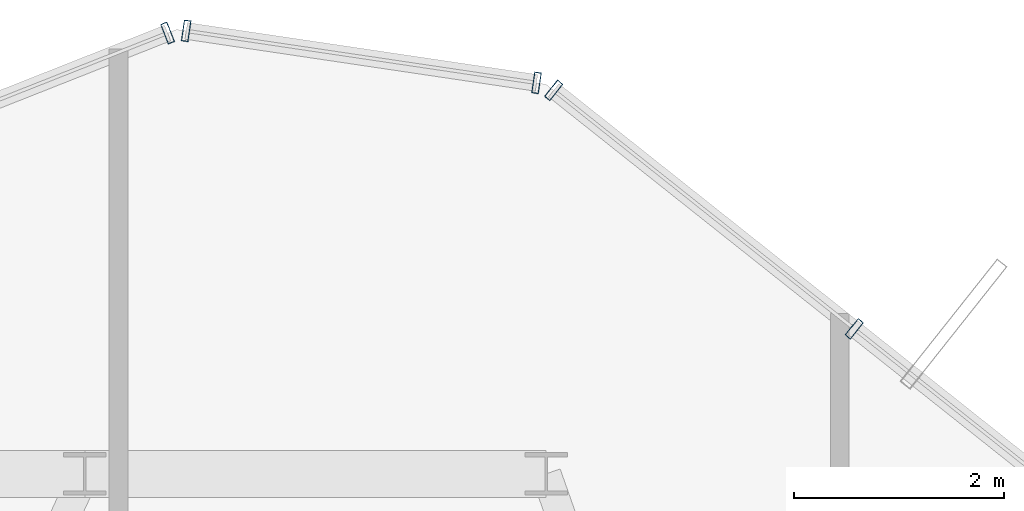
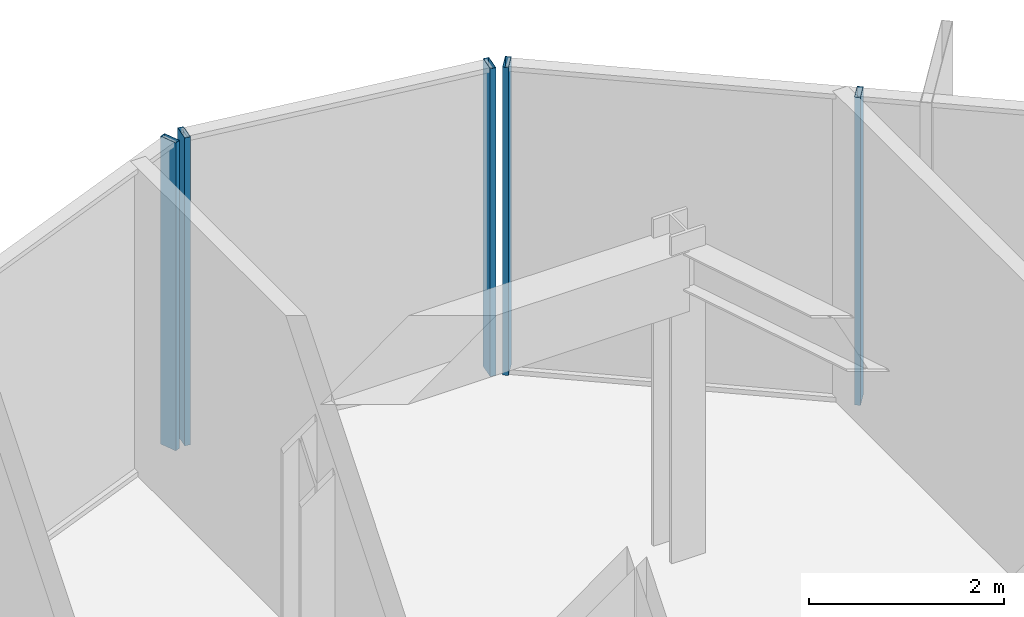
# One storey, part 16 of 22: 5 members, 3 elements without a shape of their own.
"""IFC4 building model written with IfcOpenShell, lengths in metres."""

import ifcopenshell
import ifcopenshell.guid

model = None  # the IFC model being written
_history = None  # IfcOwnerHistory: only IFC2X3 demands one
_inside = {}  # id of a spatial element -> (the spatial element, [elements in it])
_under = {}  # id of a project, library or spatial element -> (it, [spatial elements below it])
_declared = {}  # id of a project -> (the project, [libraries it declares])
_typed = {}  # id of a type object -> (the type object, [elements of that type])
_made_of = {}  # id of a material, layer set ... -> (it, [elements and type objects made of it])


def new_model(schema):
    """Start an empty IFC model of exactly this schema.

    Asked for "IFC4X3", IfcOpenShell would pick the latest addendum, in which some entities
    have other attributes; the version numbers below select the first issue.
    IFC2X3 requires an IfcOwnerHistory on every rooted entity: one is made here for all.
    """
    global model, _history
    if schema == "IFC4X3":
        model = ifcopenshell.file(schema_version=(4, 3, 0, 0))
    else:
        model = ifcopenshell.file(schema=schema)
    _inside.clear()
    _under.clear()
    _declared.clear()
    _typed.clear()
    _made_of.clear()
    _history = None
    if model.schema == "IFC2X3":
        org = make("IfcOrganization", Name="unknown")
        user = make(
            "IfcPersonAndOrganization",
            ThePerson=make("IfcPerson", FamilyName="unknown"),
            TheOrganization=org,
        )
        app = make(
            "IfcApplication",
            ApplicationDeveloper=org,
            Version="unknown",
            ApplicationFullName="unknown",
            ApplicationIdentifier="unknown",
        )
        _history = make(
            "IfcOwnerHistory",
            OwningUser=user,
            OwningApplication=app,
            ChangeAction="ADDED",
            CreationDate=0,
        )
    return model


def make(cls, **values):
    """One entity of the class cls with the attributes given. An attribute that is None is left unset."""
    return model.create_entity(
        cls, **{name: value for name, value in values.items() if value is not None}
    )


def rooted(cls, **values):
    """An entity with a GlobalId (a new one), such as an element, a storey or a relation."""
    return make(cls, GlobalId=ifcopenshell.guid.new(), OwnerHistory=_history, **values)


def si_unit(unit_type, name, prefix=None):
    """IfcSIUnit, for example si_unit("LENGTHUNIT", "METRE", prefix="MILLI")."""
    return make("IfcSIUnit", UnitType=unit_type, Prefix=prefix, Name=name)


def assignment(units):
    """IfcUnitAssignment: the units of a project."""
    return None if units is None else make("IfcUnitAssignment", Units=units)


def point(xyz):
    """IfcCartesianPoint."""
    return None if xyz is None else make("IfcCartesianPoint", Coordinates=xyz)


def direction(xyz):
    """IfcDirection."""
    return None if xyz is None else make("IfcDirection", DirectionRatios=xyz)


def frame(location, z_axis=None, x_axis=None):
    """IfcAxis2Placement3D, a coordinate frame: its origin and axes. An axis left out is left unset."""
    return make(
        "IfcAxis2Placement3D",
        Location=point(location),
        Axis=direction(z_axis),
        RefDirection=direction(x_axis),
    )


def frame_2d(location, x_axis=None):
    """IfcAxis2Placement2D, a coordinate frame in the plane: its origin and x axis."""
    return make(
        "IfcAxis2Placement2D", Location=point(location), RefDirection=direction(x_axis)
    )


def origin():
    """The frame at (0, 0, 0) with its axes left unset."""
    return frame((0.0, 0.0, 0.0))


def origin_2d():
    """The frame at (0, 0) in the plane with its x axis left unset."""
    return frame_2d((0.0, 0.0))


def place(relative_to, where):
    """IfcLocalPlacement: puts the frame where relative to a parent placement (None: the world)."""
    return make(
        "IfcLocalPlacement", PlacementRelTo=relative_to, RelativePlacement=where
    )


def context(
    kind, dimensions, precision=None, world=None, true_north=None, identifier=None
):
    """IfcGeometricRepresentationContext, for example the 3D "Model" context."""
    return make(
        "IfcGeometricRepresentationContext",
        ContextIdentifier=identifier,
        ContextType=kind,
        CoordinateSpaceDimension=dimensions,
        Precision=precision,
        WorldCoordinateSystem=world,
        TrueNorth=true_north,
    )


def subcontext(parent, identifier, kind, view, scale=None):
    """IfcGeometricRepresentationSubContext, for example "Body" below "Model"."""
    return make(
        "IfcGeometricRepresentationSubContext",
        ContextIdentifier=identifier,
        ContextType=kind,
        ParentContext=parent,
        TargetScale=scale,
        TargetView=view,
    )


def project(units=None, contexts=None):
    """IfcProject with its units and contexts."""
    return rooted(
        "IfcProject",
        Name="project",
        RepresentationContexts=contexts,
        UnitsInContext=assignment(units),
    )


def spatial(cls, under=None, at=None, **own):
    """A site, building, storey or space (cls), placed at a placement, below another one or the project."""
    s = rooted(cls, ObjectPlacement=at, **own)
    if under is not None:
        _under.setdefault(under.id(), (under, []))[1].append(s)
    return s


def profile(cls, at=None, kind="AREA", **sizes):
    """A parametric profile (cls). Its sizes go by their IFC names, for example OverallWidth=200.0."""
    return make(cls, ProfileType=kind, Position=at, **sizes)


def hollow_rectangle(**sizes):
    """IfcRectangleHollowProfileDef."""
    return profile("IfcRectangleHollowProfileDef", **sizes)


def extrude(swept, where, along, depth):
    """IfcExtrudedAreaSolid: the profile swept, set in the frame where, extruded along a direction by depth."""
    return make(
        "IfcExtrudedAreaSolid",
        SweptArea=swept,
        Position=where,
        ExtrudedDirection=direction(along),
        Depth=depth,
    )


def shape(context_of_items, identifier, shape_type, items):
    """IfcShapeRepresentation: the items that make up one representation, for example the "Body"."""
    return make(
        "IfcShapeRepresentation",
        ContextOfItems=context_of_items,
        RepresentationIdentifier=identifier,
        RepresentationType=shape_type,
        Items=items,
    )


def source(mapping_origin, context_of_items, identifier, shape_type, items):
    """IfcRepresentationMap: a shape defined once, which mapped items show again and again."""
    return make(
        "IfcRepresentationMap",
        MappingOrigin=mapping_origin,
        MappedRepresentation=shape(context_of_items, identifier, shape_type, items),
    )


def transform(
    local_origin,
    x_axis=None,
    y_axis=None,
    z_axis=None,
    scale=None,
    scale2=None,
    scale3=None,
    uniform=True,
):
    """IfcCartesianTransformationOperator3D, or its non-uniform kind. x_axis, y_axis, z_axis: its Axis1, 2, 3."""
    if uniform:
        return make(
            "IfcCartesianTransformationOperator3D",
            Axis1=direction(x_axis),
            Axis2=direction(y_axis),
            LocalOrigin=point(local_origin),
            Scale=scale,
            Axis3=direction(z_axis),
        )
    return make(
        "IfcCartesianTransformationOperator3DnonUniform",
        Axis1=direction(x_axis),
        Axis2=direction(y_axis),
        LocalOrigin=point(local_origin),
        Scale=scale,
        Axis3=direction(z_axis),
        Scale2=scale2,
        Scale3=scale3,
    )


def mapped(mapping_source, mapping_target):
    """IfcMappedItem: shows the shape of a source again, moved by a transform."""
    return make(
        "IfcMappedItem", MappingSource=mapping_source, MappingTarget=mapping_target
    )


def material(Name=None, Category=None):
    """IfcMaterial."""
    return make("IfcMaterial", Name=Name, Category=Category)


def layer(
    of_material, thickness, ventilated=None, Name=None, Category=None, Priority=None
):
    """IfcMaterialLayer: one layer of a wall or slab, of a material (None: an air gap)."""
    return make(
        "IfcMaterialLayer",
        Material=of_material,
        LayerThickness=thickness,
        IsVentilated=ventilated,
        Name=Name,
        Category=Category,
        Priority=Priority,
    )


def layer_set(layers, Name=None):
    """IfcMaterialLayerSet."""
    return make("IfcMaterialLayerSet", MaterialLayers=layers, LayerSetName=Name)


def material_profile(
    of_material, cross_section, Name=None, Category=None, Priority=None
):
    """IfcMaterialProfile: a cross section and its material."""
    return make(
        "IfcMaterialProfile",
        Name=Name,
        Material=of_material,
        Profile=cross_section,
        Priority=Priority,
        Category=Category,
    )


def profile_set(profiles, Name=None, composite=None):
    """IfcMaterialProfileSet."""
    return make(
        "IfcMaterialProfileSet",
        Name=Name,
        MaterialProfiles=profiles,
        CompositeProfile=composite,
    )


def made_of(thing, what):
    """Note that an element or type object is made of a material, layer set ...; save() writes the relation."""
    if what is not None:
        _made_of.setdefault(what.id(), (what, []))[1].append(thing)
    return thing


def type_object(cls, material=None, **own):
    """A type object (cls), such as IfcWallType, which elements share."""
    return made_of(rooted(cls, **own), material)


def element(
    cls,
    number,
    at=None,
    inside=None,
    cuts=None,
    type_object=None,
    material=None,
    context=None,
    identifier="Body",
    shape_type=None,
    held_by="IfcProductDefinitionShape",
    body=None,
    shapes=None,
    **own,
):
    """One element of the class cls, such as IfcWall. Its Tag is "e" and its number.

    at: its placement. inside: the storey or other place that contains it. cuts: it is an
    opening in that element (IfcRelVoidsElement). A single representation is given by context,
    identifier, shape_type and body (its items); several are given by shapes. held_by: the class
    of the entity that holds the representations. save() writes the other relations.
    """
    e = rooted(cls, Tag="e%d" % number, ObjectPlacement=at, **own)
    if body is not None:
        shapes = [shape(context, identifier, shape_type, body)]
    if shapes is not None:
        e.Representation = make(held_by, Representations=shapes)
    if inside is not None:
        _inside.setdefault(inside.id(), (inside, []))[1].append(e)
    if cuts is not None:
        rooted(
            "IfcRelVoidsElement", RelatingBuildingElement=cuts, RelatedOpeningElement=e
        )
    if type_object is not None:
        _typed.setdefault(type_object.id(), (type_object, []))[1].append(e)
    return made_of(e, material)


def aggregate(whole, parts):
    """IfcRelAggregates: a whole, such as a stair, and the parts it consists of."""
    return rooted("IfcRelAggregates", RelatingObject=whole, RelatedObjects=parts)


def save(model, path):
    """Write the relations noted so far, then the file.

    IfcRelAggregates (storeys below a building ...), IfcRelContainedInSpatialStructure (elements
    in a storey), IfcRelDefinesByType, IfcRelAssociatesMaterial and IfcRelDeclares: one each for
    every whole, place, type object, material and project.
    """
    for whole, parts in _under.values():
        aggregate(whole, parts)
    for where, things in _inside.values():
        rooted(
            "IfcRelContainedInSpatialStructure",
            RelatedElements=things,
            RelatingStructure=where,
        )
    for kind, things in _typed.values():
        rooted("IfcRelDefinesByType", RelatedObjects=things, RelatingType=kind)
    for what, things in _made_of.values():
        rooted("IfcRelAssociatesMaterial", RelatedObjects=things, RelatingMaterial=what)
    for by, libraries in _declared.values():
        rooted("IfcRelDeclares", RelatingContext=by, RelatedDefinitions=libraries)
    model.write(path)


model = new_model("IFC4")

# Units and contexts
model_context = context("Model", 3, precision=1e-05, world=origin(), true_north=direction((0.0, 1.0)))
body_context = subcontext(model_context, "Body", "Model", "MODEL_VIEW")
ifc_project = project(units=[si_unit("LENGTHUNIT", "METRE"), si_unit("AREAUNIT", "SQUARE_METRE"), si_unit("VOLUMEUNIT", "CUBIC_METRE"), si_unit("PLANEANGLEUNIT", "RADIAN"), si_unit("MASSUNIT", "GRAM", prefix="KILO")], contexts=[model_context])

# Site, building, storey
site_placement = place(None, origin())
site = spatial("IfcSite", under=ifc_project, at=site_placement, CompositionType="ELEMENT")
building_placement = place(site_placement, origin())
building = spatial("IfcBuilding", under=site, at=building_placement, Name="Veraguas Prism Commons", CompositionType="ELEMENT")
storey_placement = place(building_placement, frame((0.0, 0.0, 236.550048828125)))
storey = spatial("IfcBuildingStorey", under=building, at=storey_placement, Name="L67", CompositionType="ELEMENT", Elevation=236.550048828125)

# Curtain wall, members
ifc_material = material(Name="Anodised aluminium EN AW-6063 T6", Category="aluminium")
ifc_layer = layer(ifc_material, 0.199951171875, Name="Sky Lobby and Pool Acoustic Curtain Wall", Category="aluminium")
ifc_layer_set = layer_set([ifc_layer], Name="Anodised aluminium EN AW-6063 T6")
curtain_wall_type = type_object("IfcCurtainWallType", Name="Sky Lobby and Pool Acoustic Curtain Wall", PredefinedType="NOTDEFINED", material=ifc_layer_set)
curtain_wall_1_placement = place(storey_placement, origin())
curtain_wall_1 = element("IfcCurtainWall", 1, at=curtain_wall_1_placement, inside=storey, type_object=curtain_wall_type, Name="Tower Facade Curtain Wall L67-F1", PredefinedType="NOTDEFINED")
ifc_material_profile = material_profile(ifc_material, hollow_rectangle(XDim=0.06494140625, YDim=0.199951171875, WallThickness=0.00390625, at=origin_2d()), Name="AL65X200X4")
ifc_profile_set = profile_set([ifc_material_profile], Name="Anodised aluminium EN AW-6063 T6")
member_type = type_object("IfcMemberType", Name="Curtain Wall Mullion Heavy AL 65x200x4", PredefinedType="MULLION", material=ifc_profile_set)
shared_shape = source(origin(), body_context, "Body", "SweptSolid", [
    extrude(hollow_rectangle(XDim=0.06494140625, YDim=0.199951171875, WallThickness=0.00390625, at=origin_2d()), origin(), (0.0, 0.0, 1.0), 3.864990234375),
])
member_1_placement = place(storey_placement, frame((31.338134765625, 39.18310546875, 0.0), z_axis=(0.0, 0.0, 1.0), x_axis=(-0.78325853836, 0.621696117155, 0.0)))
member_1 = element("IfcMember", 2, at=member_1_placement, type_object=member_type, Name="CW-SKY Mullion 4", PredefinedType="MULLION", context=body_context, shape_type="MappedRepresentation", body=[
    mapped(shared_shape, transform((0.0, 0.0, 0.0), scale=1.0)),
])
member_2_placement = place(storey_placement, frame((28.47216796875, 41.4580078125, 0.0), z_axis=(0.0, 0.0, 1.0), x_axis=(-0.78325853836, 0.621696117155, 0.0)))
member_2 = element("IfcMember", 3, at=member_2_placement, type_object=member_type, Name="CW-SKY Mullion 5", PredefinedType="MULLION", context=body_context, shape_type="MappedRepresentation", body=[
    mapped(shared_shape, transform((0.0, 0.0, 0.0), scale=1.0)),
])
aggregate(curtain_wall_1, [member_1, member_2])

# Curtain wall, member
curtain_wall_2_placement = place(storey_placement, origin())
curtain_wall_2 = element("IfcCurtainWall", 4, at=curtain_wall_2_placement, inside=storey, type_object=curtain_wall_type, Name="Tower Facade Curtain Wall L67-F2", PredefinedType="NOTDEFINED")
member_3_placement = place(storey_placement, frame((24.789794921875, 42.00439453125, 0.0), z_axis=(0.0, 0.0, 1.0), x_axis=(-0.930030051844, -0.367483472645, 0.0)))
member_3 = element("IfcMember", 5, at=member_3_placement, type_object=member_type, Name="CW-SKY Mullion 1", PredefinedType="MULLION", context=body_context, shape_type="MappedRepresentation", body=[
    mapped(shared_shape, transform((0.0, 0.0, 0.0), scale=1.0)),
])
aggregate(curtain_wall_2, [member_3])

# Curtain wall, members
curtain_wall_3_placement = place(storey_placement, origin())
curtain_wall_3 = element("IfcCurtainWall", 6, at=curtain_wall_3_placement, inside=storey, type_object=curtain_wall_type, Name="Chamfer Curtain Wall L67-C2", PredefinedType="NOTDEFINED")
member_4_placement = place(storey_placement, frame((28.30810546875, 41.529052734375, 0.0), z_axis=(0.0, 0.0, 1.0), x_axis=(-0.989168057255, 0.146787446689, 0.0)))
member_4 = element("IfcMember", 7, at=member_4_placement, type_object=member_type, Name="CW-SKY Mullion 1", PredefinedType="MULLION", context=body_context, shape_type="MappedRepresentation", body=[
    mapped(shared_shape, transform((0.0, 0.0, 0.0), scale=1.0)),
])
member_5_placement = place(storey_placement, frame((24.96728515625, 42.02490234375, 0.0), z_axis=(0.0, 0.0, 1.0), x_axis=(-0.989168057255, 0.146787446689, 0.0)))
member_5 = element("IfcMember", 8, at=member_5_placement, type_object=member_type, Name="CW-SKY Mullion 2", PredefinedType="MULLION", context=body_context, shape_type="MappedRepresentation", body=[
    mapped(shared_shape, transform((0.0, 0.0, 0.0), scale=1.0)),
])
aggregate(curtain_wall_3, [member_4, member_5])

save(model, "model.ifc")
